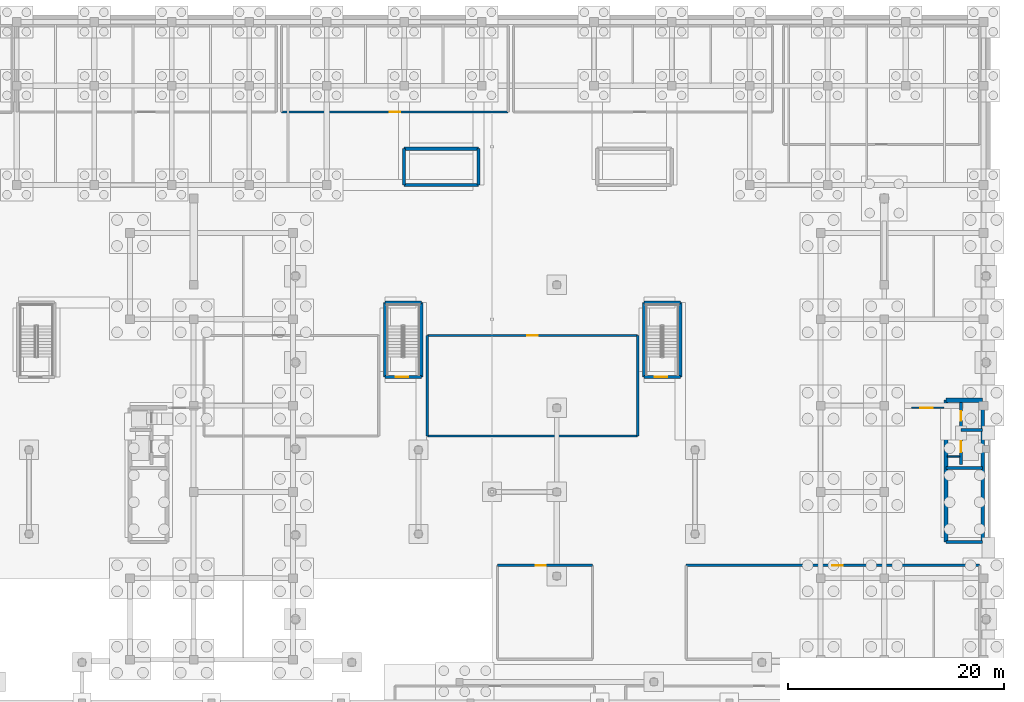
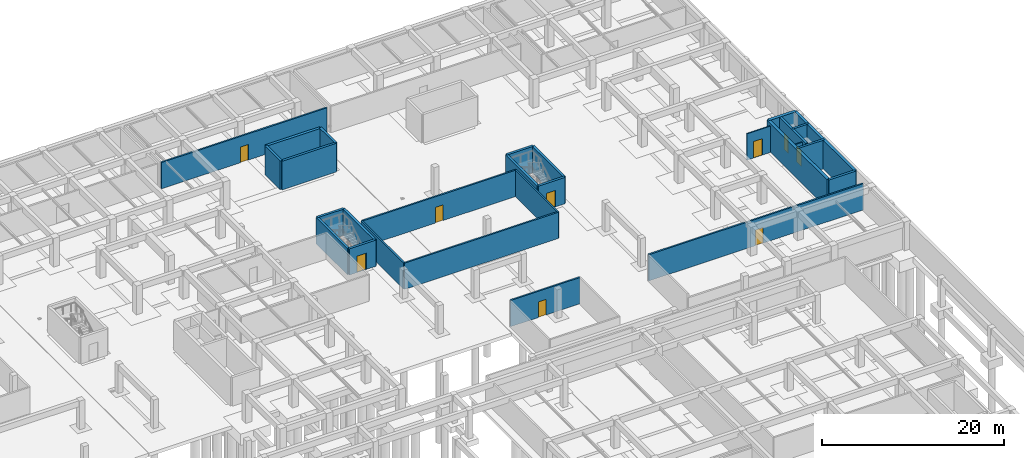
# One storey, part 26 of 35: 28 walls, 9 doors, 9 openings.
"""IFC4 building model written with IfcOpenShell, lengths in metres."""

from ifc_helpers import new_model, si_unit, direction, frame, frame_2d, origin, place, context, subcontext, project, spatial, rectangle, extrude, material, layer, layer_set, type_object, element, fill, save


model = new_model("IFC4")

# Units and contexts
model_context = context("Model", 3, precision=1e-05, world=origin(), true_north=direction((0.0, 1.0)))
body_context = subcontext(model_context, "Body", "Model", "MODEL_VIEW")
ifc_project = project(units=[si_unit("LENGTHUNIT", "METRE"), si_unit("AREAUNIT", "SQUARE_METRE"), si_unit("VOLUMEUNIT", "CUBIC_METRE"), si_unit("PLANEANGLEUNIT", "RADIAN"), si_unit("MASSUNIT", "GRAM", prefix="KILO")], contexts=[model_context])

# Site, building, storey
site_placement = place(None, origin())
site = spatial("IfcSite", under=ifc_project, at=site_placement, CompositionType="ELEMENT")
building_placement = place(site_placement, origin())
building = spatial("IfcBuilding", under=site, at=building_placement, Name="Keldmere Railside Commons", CompositionType="ELEMENT")
storey_placement = place(building_placement, frame((0.0, 0.0, -3.840087890625)))
storey = spatial("IfcBuildingStorey", under=building, at=storey_placement, Name="B1", CompositionType="ELEMENT", Elevation=-3.840087890625)

# Walls
ifc_material_1 = material(Name="Concrete H-35 (C35/45)", Category="concrete")
ifc_layer_1 = layer(ifc_material_1, 0.280029296875, Name="Core Shear Wall 280")
ifc_layer_set_1 = layer_set([ifc_layer_1], Name="Concrete H-35 (C35/45)")
wall_type_1 = type_object("IfcWallType", Name="Core Shear Wall 280", PredefinedType="SHEAR", material=ifc_layer_set_1)
wall_1_placement = place(storey_placement, frame((180.06005859375, 74.239990234375, 0.0), z_axis=(0.0, 0.0, 1.0), x_axis=(1.0, 0.0, 0.0)))
element("IfcWall", 1, at=wall_1_placement, inside=storey, type_object=wall_type_1, Name="CSW-2 COREAM-B1-0700", PredefinedType="SHEAR", context=body_context, shape_type="SweptSolid", body=[
    extrude(rectangle(XDim=3.409912109375, YDim=0.280029296875, at=frame_2d((1.705078125, 0.0))), origin(), (0.0, 0.0, 1.0), 3.840087890625),
])
wall_2_placement = place(storey_placement, frame((181.469970703125, 77.75, 0.0), z_axis=(0.0, 0.0, 1.0), x_axis=(1.0, 0.0, 0.0)))
element("IfcWall", 2, at=wall_2_placement, inside=storey, type_object=wall_type_1, Name="CSW-2 COREAL-B1-0701", PredefinedType="SHEAR", context=body_context, shape_type="SweptSolid", body=[
    extrude(rectangle(XDim=2.0, YDim=0.280029296875, at=frame_2d((1.0, 0.0))), origin(), (0.0, 0.0, 1.0), 3.840087890625),
])

# Wall, openings, doors
wall_3_placement = place(storey_placement, frame((181.469970703125, 74.550048828125, 0.0), z_axis=(0.0, 0.0, 1.0), x_axis=(0.0, 1.0, 0.0)))
wall_3 = element("IfcWall", 3, at=wall_3_placement, inside=storey, type_object=wall_type_1, Name="CSW-2 LSHA-B1-0702", PredefinedType="SHEAR", context=body_context, shape_type="SweptSolid", body=[
    extrude(rectangle(XDim=5.949951171875, YDim=0.280029296875, at=frame_2d((2.97509765625, 0.0))), origin(), (0.0, 0.0, 1.0), 3.840087890625),
])
opening_1_placement = place(wall_3_placement, frame((1.14990234375, 0.0, 0.0)))
opening_1 = element("IfcOpeningElement", 4, at=opening_1_placement, cuts=wall_3, Name="Opening LD-1", PredefinedType="OPENING", context=body_context, shape_type="SweptSolid", body=[
    extrude(rectangle(XDim=1.0, YDim=2.14990234375, at=frame_2d((0.5, 1.074951171875))), frame((0.0, 0.14990234375, 0.0), z_axis=(0.0, -1.0, 0.0), x_axis=(1.0, 0.0, 0.0)), (0.0, 0.0, 1.0), 0.300048828125),
])
opening_2_placement = place(wall_3_placement, frame((4.050048828125, 0.0, 0.0)))
opening_2 = element("IfcOpeningElement", 5, at=opening_2_placement, cuts=wall_3, Name="Opening LD-2", PredefinedType="OPENING", context=body_context, shape_type="SweptSolid", body=[
    extrude(rectangle(XDim=0.89990234375, YDim=2.14990234375, at=frame_2d((0.449951171875, 1.074951171875))), frame((0.0, 0.14990234375, 0.0), z_axis=(0.0, -1.0, 0.0), x_axis=(1.0, 0.0, 0.0)), (0.0, 0.0, 1.0), 0.300048828125),
])
ifc_material_2 = material(Name="Steel F-24 (S235)", Category="steel")
door_type_1 = type_object("IfcDoorType", Name="Firefighting Stretcher Lift Landing Door 1000x2150", OperationType="SLIDING_TO_LEFT", PredefinedType="DOOR", material=ifc_material_2)
door_1_placement = place(opening_1_placement, origin())
door_1 = element("IfcDoor", 6, at=door_1_placement, inside=storey, type_object=door_type_1, Name="LD-1 A B1", OperationType="SLIDING_TO_LEFT", OverallHeight=2.14990234375, OverallWidth=1.0, PredefinedType="DOOR", context=body_context, shape_type="SweptSolid", body=[
    extrude(rectangle(XDim=1.0, YDim=2.14990234375, at=frame_2d((0.5, 1.074951171875))), frame((0.0, 0.02490234375, 0.0), z_axis=(0.0, -1.0, 0.0), x_axis=(1.0, 0.0, 0.0)), (0.0, 0.0, 1.0), 0.050048828125),
])
fill(opening_1, door_1)
door_type_2 = type_object("IfcDoorType", Name="Passenger Lift Sliding Landing Door 900x2150", OperationType="SLIDING_TO_RIGHT", PredefinedType="DOOR", material=ifc_material_2)
door_2_placement = place(opening_2_placement, origin())
door_2 = element("IfcDoor", 7, at=door_2_placement, inside=storey, type_object=door_type_2, Name="LD-2 A B1", OperationType="SLIDING_TO_RIGHT", OverallHeight=2.14990234375, OverallWidth=0.89990234375, PredefinedType="DOOR", context=body_context, shape_type="SweptSolid", body=[
    extrude(rectangle(XDim=0.89990234375, YDim=2.14990234375, at=frame_2d((0.449951171875, 1.074951171875))), frame((0.0, 0.02490234375, 0.0), z_axis=(0.0, -1.0, 0.0), x_axis=(1.0, 0.0, 0.0)), (0.0, 0.0, 1.0), 0.050048828125),
])
fill(opening_2, door_2)

# Walls
ifc_material_3 = material(Name="Concrete H-40 (C40/50)", Category="concrete")
ifc_layer_2 = layer(ifc_material_3, 0.3798828125, Name="Core Shear Wall 380")
ifc_layer_set_2 = layer_set([ifc_layer_2], Name="Concrete H-40 (C40/50)")
wall_type_2 = type_object("IfcWallType", Name="Core Shear Wall 380", PredefinedType="SHEAR", material=ifc_layer_set_2)
wall_4_placement = place(storey_placement, frame((180.06005859375, 67.35009765625, 0.0), z_axis=(0.0, 0.0, 1.0), x_axis=(0.0, 1.0, 0.0)))
element("IfcWall", 8, at=wall_4_placement, inside=storey, type_object=wall_type_2, Name="CW-CORE COREAW-B1-0696", PredefinedType="SHEAR", context=body_context, shape_type="SweptSolid", body=[
    extrude(rectangle(XDim=13.14990234375, YDim=0.3798828125, at=frame_2d((6.574951171875, 0.0))), origin(), (0.0, 0.0, 1.0), 3.840087890625),
])
wall_5_placement = place(storey_placement, frame((180.06005859375, 80.5, 0.0), z_axis=(0.0, 0.0, 1.0), x_axis=(1.0, 0.0, 0.0)))
element("IfcWall", 9, at=wall_5_placement, inside=storey, type_object=wall_type_2, Name="CW-CORE COREAN-B1-0697", PredefinedType="SHEAR", context=body_context, shape_type="SweptSolid", body=[
    extrude(rectangle(XDim=3.409912109375, YDim=0.3798828125, at=frame_2d((1.705078125, 0.0))), origin(), (0.0, 0.0, 1.0), 3.840087890625),
])

# Wall, opening, door
ifc_layer_3 = layer(ifc_material_1, 0.300048828125, Name="Interior Shear Wall 300")
ifc_layer_set_3 = layer_set([ifc_layer_3], Name="Concrete H-35 (C35/45)")
wall_type_3 = type_object("IfcWallType", Name="Interior Shear Wall 300", PredefinedType="SHEAR", material=ifc_layer_set_3)
wall_6_placement = place(storey_placement, frame((131.449951171875, 82.64990234375, 0.0), z_axis=(0.0, 0.0, 1.0), x_axis=(-1.0, 0.0, 0.0)))
wall_6 = element("IfcWall", 10, at=wall_6_placement, inside=storey, type_object=wall_type_3, Name="ISW-2 WAL-ST-B5-B1-S", PredefinedType="SHEAR", context=body_context, shape_type="SweptSolid", body=[
    extrude(rectangle(XDim=3.349853515625, YDim=0.300048828125, at=frame_2d((1.6748046875, 0.0))), origin(), (0.0, 0.0, 1.0), 3.52001953125),
])
opening_3_placement = place(wall_6_placement, frame((1.199951171875, 0.0, 0.0)))
opening_3 = element("IfcOpeningElement", 11, at=opening_3_placement, cuts=wall_6, Name="Opening FD-5", PredefinedType="OPENING", context=body_context, shape_type="SweptSolid", body=[
    extrude(rectangle(XDim=1.14990234375, YDim=2.199951171875, at=frame_2d((0.574951171875, 1.10009765625))), frame((0.0, 0.159912109375, 0.0), z_axis=(0.0, -1.0, 0.0), x_axis=(1.0, 0.0, 0.0)), (0.0, 0.0, 1.0), 0.320068359375),
])
door_type_3 = type_object("IfcDoorType", Name="Basement Garage Vestibule Fire Door 1150x2200", OperationType="NOTDEFINED", PredefinedType="DOOR", material=ifc_material_2)
door_3_placement = place(opening_3_placement, origin())
door_3 = element("IfcDoor", 12, at=door_3_placement, inside=storey, type_object=door_type_3, Name="FD-5 ST-B5 B1", OperationType="SINGLE_SWING_LEFT", OverallHeight=2.199951171875, OverallWidth=1.14990234375, PredefinedType="DOOR", context=body_context, shape_type="SweptSolid", body=[
    extrude(rectangle(XDim=1.14990234375, YDim=2.199951171875, at=frame_2d((0.574951171875, 1.10009765625))), frame((0.0, 0.02490234375, 0.0), z_axis=(0.0, -1.0, 0.0), x_axis=(1.0, 0.0, 0.0)), (0.0, 0.0, 1.0), 0.050048828125),
])
fill(opening_3, door_3)

# Walls
wall_7_placement = place(storey_placement, frame((128.10009765625, 82.64990234375, 0.0), z_axis=(0.0, 0.0, 1.0), x_axis=(0.0, 1.0, 0.0)))
element("IfcWall", 13, at=wall_7_placement, inside=storey, type_object=wall_type_3, Name="ISW-2 WAL-ST-B5-B1-W", PredefinedType="SHEAR", context=body_context, shape_type="SweptSolid", body=[
    extrude(rectangle(XDim=6.900146484375, YDim=0.300048828125, at=frame_2d((3.4501953125, 0.0))), origin(), (0.0, 0.0, 1.0), 3.52001953125),
])
wall_8_placement = place(storey_placement, frame((128.10009765625, 89.550048828125, 0.0), z_axis=(0.0, 0.0, 1.0), x_axis=(1.0, 0.0, 0.0)))
element("IfcWall", 14, at=wall_8_placement, inside=storey, type_object=wall_type_3, Name="ISW-2 WAL-ST-B5-B1-N", PredefinedType="SHEAR", context=body_context, shape_type="SweptSolid", body=[
    extrude(rectangle(XDim=3.349853515625, YDim=0.300048828125, at=frame_2d((1.6748046875, 0.0))), origin(), (0.0, 0.0, 1.0), 3.52001953125),
])
wall_9_placement = place(storey_placement, frame((131.449951171875, 89.550048828125, 0.0), z_axis=(0.0, 0.0, 1.0), x_axis=(0.0, -1.0, 0.0)))
element("IfcWall", 15, at=wall_9_placement, inside=storey, type_object=wall_type_3, Name="ISW-2 WAL-ST-B5-B1-E", PredefinedType="SHEAR", context=body_context, shape_type="SweptSolid", body=[
    extrude(rectangle(XDim=6.900146484375, YDim=0.300048828125, at=frame_2d((3.4501953125, 0.0))), origin(), (0.0, 0.0, 1.0), 3.52001953125),
])

# Wall, opening, door
wall_10_placement = place(storey_placement, frame((155.449951171875, 82.64990234375, 0.0), z_axis=(0.0, 0.0, 1.0), x_axis=(-1.0, 0.0, 0.0)))
wall_10 = element("IfcWall", 16, at=wall_10_placement, inside=storey, type_object=wall_type_3, Name="ISW-2 WAL-ST-B6-B1-S", PredefinedType="SHEAR", context=body_context, shape_type="SweptSolid", body=[
    extrude(rectangle(XDim=3.349853515625, YDim=0.300048828125, at=frame_2d((1.6748046875, 0.0))), origin(), (0.0, 0.0, 1.0), 3.52001953125),
])
opening_4_placement = place(wall_10_placement, frame((1.199951171875, 0.0, 0.0)))
opening_4 = element("IfcOpeningElement", 17, at=opening_4_placement, cuts=wall_10, Name="Opening FD-5", PredefinedType="OPENING", context=body_context, shape_type="SweptSolid", body=[
    extrude(rectangle(XDim=1.14990234375, YDim=2.199951171875, at=frame_2d((0.574951171875, 1.10009765625))), frame((0.0, 0.159912109375, 0.0), z_axis=(0.0, -1.0, 0.0), x_axis=(1.0, 0.0, 0.0)), (0.0, 0.0, 1.0), 0.320068359375),
])
door_4_placement = place(opening_4_placement, origin())
door_4 = element("IfcDoor", 18, at=door_4_placement, inside=storey, type_object=door_type_3, Name="FD-5 ST-B6 B1", OperationType="SINGLE_SWING_LEFT", OverallHeight=2.199951171875, OverallWidth=1.14990234375, PredefinedType="DOOR", context=body_context, shape_type="SweptSolid", body=[
    extrude(rectangle(XDim=1.14990234375, YDim=2.199951171875, at=frame_2d((0.574951171875, 1.10009765625))), frame((0.0, 0.02490234375, 0.0), z_axis=(0.0, -1.0, 0.0), x_axis=(1.0, 0.0, 0.0)), (0.0, 0.0, 1.0), 0.050048828125),
])
fill(opening_4, door_4)

# Walls
wall_11_placement = place(storey_placement, frame((152.10009765625, 82.64990234375, 0.0), z_axis=(0.0, 0.0, 1.0), x_axis=(0.0, 1.0, 0.0)))
element("IfcWall", 19, at=wall_11_placement, inside=storey, type_object=wall_type_3, Name="ISW-2 WAL-ST-B6-B1-W", PredefinedType="SHEAR", context=body_context, shape_type="SweptSolid", body=[
    extrude(rectangle(XDim=6.900146484375, YDim=0.300048828125, at=frame_2d((3.4501953125, 0.0))), origin(), (0.0, 0.0, 1.0), 3.52001953125),
])
wall_12_placement = place(storey_placement, frame((152.10009765625, 89.550048828125, 0.0), z_axis=(0.0, 0.0, 1.0), x_axis=(1.0, 0.0, 0.0)))
element("IfcWall", 20, at=wall_12_placement, inside=storey, type_object=wall_type_3, Name="ISW-2 WAL-ST-B6-B1-N", PredefinedType="SHEAR", context=body_context, shape_type="SweptSolid", body=[
    extrude(rectangle(XDim=3.349853515625, YDim=0.300048828125, at=frame_2d((1.6748046875, 0.0))), origin(), (0.0, 0.0, 1.0), 3.52001953125),
])
wall_13_placement = place(storey_placement, frame((155.449951171875, 89.550048828125, 0.0), z_axis=(0.0, 0.0, 1.0), x_axis=(0.0, -1.0, 0.0)))
element("IfcWall", 21, at=wall_13_placement, inside=storey, type_object=wall_type_3, Name="ISW-2 WAL-ST-B6-B1-E", PredefinedType="SHEAR", context=body_context, shape_type="SweptSolid", body=[
    extrude(rectangle(XDim=6.900146484375, YDim=0.300048828125, at=frame_2d((3.4501953125, 0.0))), origin(), (0.0, 0.0, 1.0), 3.52001953125),
])
wall_14_placement = place(storey_placement, frame((129.85009765625, 100.449951171875, 0.0), z_axis=(0.0, 0.0, 1.0), x_axis=(1.0, 0.0, 0.0)))
element("IfcWall", 22, at=wall_14_placement, inside=storey, type_object=wall_type_3, Name="ISW-2 COREB2S-B1-0428", PredefinedType="SHEAR", context=body_context, shape_type="SweptSolid", body=[
    extrude(rectangle(XDim=6.89990234375, YDim=0.300048828125, at=frame_2d((3.449951171875, 0.0))), origin(), (0.0, 0.0, 1.0), 3.840087890625),
])
for number, where, z_axis, x_axis, name in (
    (23, (129.85009765625, 103.820068359375, 0.0), (0.0, 0.0, 1.0), (0.0, -1.0, 0.0), "ISW-2 COREB2W-B1-0430"),
    (24, (136.75, 100.449951171875, 0.0), (0.0, 0.0, 1.0), (0.0, 1.0, 0.0), "ISW-2 COREB2E-B1-0431"),
):
    element("IfcWall", number, at=place(storey_placement, frame(where, z_axis=z_axis, x_axis=x_axis)), inside=storey, type_object=wall_type_3, Name=name, PredefinedType="SHEAR", context=body_context, shape_type="SweptSolid", body=[
        extrude(rectangle(XDim=3.3701171875, YDim=0.300048828125, at=frame_2d((1.68505859375, 0.0))), origin(), (0.0, 0.0, 1.0), 3.840087890625),
    ])
wall_15_placement = place(storey_placement, frame((183.469970703125, 67.35009765625, 0.0), z_axis=(0.0, 0.0, 1.0), x_axis=(-1.0, 0.0, 0.0)))
element("IfcWall", 25, at=wall_15_placement, inside=storey, type_object=wall_type_3, Name="ISW-2 COREAS-B1-0699", PredefinedType="SHEAR", context=body_context, shape_type="SweptSolid", body=[
    extrude(rectangle(XDim=3.409912109375, YDim=0.300048828125, at=frame_2d((1.705078125, 0.0))), origin(), (0.0, 0.0, 1.0), 3.840087890625),
])
ifc_layer_4 = layer(ifc_material_1, 0.340087890625, Name="Interior Shear Wall 340")
ifc_layer_set_4 = layer_set([ifc_layer_4], Name="Concrete H-35 (C35/45)")
wall_type_4 = type_object("IfcWallType", Name="Interior Shear Wall 340", PredefinedType="SHEAR", material=ifc_layer_set_4)
wall_16_placement = place(storey_placement, frame((136.75, 103.820068359375, 0.0), z_axis=(0.0, 0.0, 1.0), x_axis=(-1.0, 0.0, 0.0)))
element("IfcWall", 26, at=wall_16_placement, inside=storey, type_object=wall_type_4, Name="ISW-1 COREB2N-B1-0429", PredefinedType="SHEAR", context=body_context, shape_type="SweptSolid", body=[
    extrude(rectangle(XDim=6.89990234375, YDim=0.340087890625, at=frame_2d((3.449951171875, 0.0))), origin(), (0.0, 0.0, 1.0), 3.840087890625),
])
wall_17_placement = place(storey_placement, frame((183.469970703125, 80.5, 0.0), z_axis=(0.0, 0.0, 1.0), x_axis=(0.0, -1.0, 0.0)))
element("IfcWall", 27, at=wall_17_placement, inside=storey, type_object=wall_type_4, Name="ISW-1 COREAE-B1-0698", PredefinedType="SHEAR", context=body_context, shape_type="SweptSolid", body=[
    extrude(rectangle(XDim=13.14990234375, YDim=0.340087890625, at=frame_2d((6.574951171875, 0.0))), origin(), (0.0, 0.0, 1.0), 3.840087890625),
])
ifc_material_4 = material(Name="Acoustic Gypsum Board Partition", Category="gypsum")
ifc_layer_5 = layer(ifc_material_4, 0.14990234375, Name="Lobby Rated Partition 150")
ifc_layer_set_5 = layer_set([ifc_layer_5], Name="Acoustic Gypsum Board Partition")
wall_type_5 = type_object("IfcWallType", Name="Lobby Rated Partition 150", PredefinedType="PARTITIONING", material=ifc_layer_set_5)
wall_18_placement = place(storey_placement, frame((180.199951171875, 75.280029296875, 0.0), z_axis=(0.0, 0.0, 1.0), x_axis=(1.0, 0.0, 0.0)))
element("IfcWall", 28, at=wall_18_placement, inside=storey, type_object=wall_type_5, Name="IW-3 RSRNA-B1-0703", PredefinedType="PARTITIONING", context=body_context, shape_type="SweptSolid", body=[
    extrude(rectangle(XDim=1.130126953125, YDim=0.14990234375, at=frame_2d((0.56494140625, 0.0))), origin(), (0.0, 0.0, 1.0), 3.590087890625),
])

# Wall, opening, door
wall_19_placement = place(storey_placement, frame((176.89990234375, 79.800048828125, 0.0), z_axis=(0.0, 0.0, 1.0), x_axis=(1.0, 0.0, 0.0)))
wall_19 = element("IfcWall", 29, at=wall_19_placement, inside=storey, type_object=wall_type_5, Name="IW-3 IW-B1-0092", PredefinedType="PARTITIONING", context=body_context, shape_type="SweptSolid", body=[
    extrude(rectangle(XDim=3.0, YDim=0.14990234375, at=frame_2d((1.5, 0.0))), origin(), (0.0, 0.0, 1.0), 3.52001953125),
])
opening_5_placement = place(wall_19_placement, frame((0.800048828125, 0.0, 0.0)))
opening_5 = element("IfcOpeningElement", 30, at=opening_5_placement, cuts=wall_19, Name="Opening FD-5", PredefinedType="OPENING", context=body_context, shape_type="SweptSolid", body=[
    extrude(rectangle(XDim=1.14990234375, YDim=2.199951171875, at=frame_2d((0.574951171875, 1.10009765625))), frame((0.0, 0.0849609375, 0.0), z_axis=(0.0, -1.0, 0.0), x_axis=(1.0, 0.0, 0.0)), (0.0, 0.0, 1.0), 0.169921875),
])
door_5_placement = place(opening_5_placement, origin())
door_5 = element("IfcDoor", 31, at=door_5_placement, inside=storey, type_object=door_type_3, Name="FD-5 IDR-B1-0026", OperationType="SINGLE_SWING_RIGHT", OverallHeight=2.199951171875, OverallWidth=1.14990234375, PredefinedType="DOOR", context=body_context, shape_type="SweptSolid", body=[
    extrude(rectangle(XDim=1.14990234375, YDim=2.199951171875, at=frame_2d((0.574951171875, 1.10009765625))), frame((0.0, 0.02490234375, 0.0), z_axis=(0.0, -1.0, 0.0), x_axis=(1.0, 0.0, 0.0)), (0.0, 0.0, 1.0), 0.050048828125),
])
fill(opening_5, door_5)

# Walls
ifc_material_5 = material(Name="Terracotta Brick Masonry", Category="masonry")
ifc_layer_6 = layer(ifc_material_5, 0.199951171875, Name="Plant Masonry Infill Wall 200")
ifc_layer_set_6 = layer_set([ifc_layer_6], Name="Terracotta Brick Masonry")
wall_type_6 = type_object("IfcWallType", Name="Plant Masonry Infill Wall 200", PredefinedType="SOLIDWALL", material=ifc_layer_set_6)
wall_20_placement = place(storey_placement, frame((132.0, 77.199951171875, 0.0), z_axis=(0.0, 0.0, 1.0), x_axis=(1.0, 0.0, 0.0)))
element("IfcWall", 32, at=wall_20_placement, inside=storey, type_object=wall_type_6, Name="MW-1 IW-B1-0049", PredefinedType="SOLIDWALL", context=body_context, shape_type="SweptSolid", body=[
    extrude(rectangle(XDim=19.5, YDim=0.199951171875, at=frame_2d((9.75, 0.0))), origin(), (0.0, 0.0, 1.0), 3.52001953125),
])
wall_21_placement = place(storey_placement, frame((151.5, 77.199951171875, 0.0), z_axis=(0.0, 0.0, 1.0), x_axis=(0.0, 1.0, 0.0)))
element("IfcWall", 33, at=wall_21_placement, inside=storey, type_object=wall_type_6, Name="MW-1 IW-B1-0050", PredefinedType="SOLIDWALL", context=body_context, shape_type="SweptSolid", body=[
    extrude(rectangle(XDim=9.300048828125, YDim=0.199951171875, at=frame_2d((4.64990234375, 0.0))), origin(), (0.0, 0.0, 1.0), 3.52001953125),
])

# Wall, opening, door
wall_22_placement = place(storey_placement, frame((151.5, 86.5, 0.0), z_axis=(0.0, 0.0, 1.0), x_axis=(-1.0, 0.0, 0.0)))
wall_22 = element("IfcWall", 34, at=wall_22_placement, inside=storey, type_object=wall_type_6, Name="MW-1 IW-B1-0051", PredefinedType="SOLIDWALL", context=body_context, shape_type="SweptSolid", body=[
    extrude(rectangle(XDim=19.5, YDim=0.199951171875, at=frame_2d((9.75, 0.0))), origin(), (0.0, 0.0, 1.0), 3.52001953125),
])
opening_6_placement = place(wall_22_placement, frame((9.25, 0.0, 0.0)))
opening_6 = element("IfcOpeningElement", 35, at=opening_6_placement, cuts=wall_22, Name="Opening FD-9", PredefinedType="OPENING", context=body_context, shape_type="SweptSolid", body=[
    extrude(rectangle(XDim=1.0, YDim=2.10009765625, at=frame_2d((0.5, 1.050048828125))), frame((0.0, 0.10986328125, 0.0), z_axis=(0.0, -1.0, 0.0), x_axis=(1.0, 0.0, 0.0)), (0.0, 0.0, 1.0), 0.219970703125),
])
door_type_4 = type_object("IfcDoorType", Name="Waste & Storage Fire Door 1000x2100", OperationType="NOTDEFINED", PredefinedType="DOOR", material=ifc_material_2)
door_6_placement = place(opening_6_placement, origin())
door_6 = element("IfcDoor", 36, at=door_6_placement, inside=storey, type_object=door_type_4, Name="FD-9 IDR-B1-0013", OperationType="SINGLE_SWING_LEFT", OverallHeight=2.10009765625, OverallWidth=1.0, PredefinedType="DOOR", context=body_context, shape_type="SweptSolid", body=[
    extrude(rectangle(XDim=1.0, YDim=2.10009765625, at=frame_2d((0.5, 1.050048828125))), frame((0.0, 0.02490234375, 0.0), z_axis=(0.0, -1.0, 0.0), x_axis=(1.0, 0.0, 0.0)), (0.0, 0.0, 1.0), 0.050048828125),
])
fill(opening_6, door_6)

# Wall
wall_23_placement = place(storey_placement, frame((132.0, 86.5, 0.0), z_axis=(0.0, 0.0, 1.0), x_axis=(0.0, -1.0, 0.0)))
element("IfcWall", 37, at=wall_23_placement, inside=storey, type_object=wall_type_6, Name="MW-1 IW-B1-0052", PredefinedType="SOLIDWALL", context=body_context, shape_type="SweptSolid", body=[
    extrude(rectangle(XDim=9.300048828125, YDim=0.199951171875, at=frame_2d((4.64990234375, 0.0))), origin(), (0.0, 0.0, 1.0), 3.52001953125),
])

# Wall, opening, door
wall_24_placement = place(storey_placement, frame((118.5, 107.199951171875, 0.0), z_axis=(0.0, 0.0, 1.0), x_axis=(1.0, 0.0, 0.0)))
wall_24 = element("IfcWall", 38, at=wall_24_placement, inside=storey, type_object=wall_type_6, Name="MW-1 IW-B1-0061", PredefinedType="SOLIDWALL", context=body_context, shape_type="SweptSolid", body=[
    extrude(rectangle(XDim=21.0, YDim=0.199951171875, at=frame_2d((10.5, 0.0))), origin(), (0.0, 0.0, 1.0), 3.52001953125),
])
opening_7_placement = place(wall_24_placement, frame((10.0, 0.0, 0.0)))
opening_7 = element("IfcOpeningElement", 39, at=opening_7_placement, cuts=wall_24, Name="Opening FD-9", PredefinedType="OPENING", context=body_context, shape_type="SweptSolid", body=[
    extrude(rectangle(XDim=1.0, YDim=2.10009765625, at=frame_2d((0.5, 1.050048828125))), frame((0.0, 0.10986328125, 0.0), z_axis=(0.0, -1.0, 0.0), x_axis=(1.0, 0.0, 0.0)), (0.0, 0.0, 1.0), 0.219970703125),
])
door_7_placement = place(opening_7_placement, origin())
door_7 = element("IfcDoor", 40, at=door_7_placement, inside=storey, type_object=door_type_4, Name="FD-9 IDR-B1-0016", OperationType="SINGLE_SWING_RIGHT", OverallHeight=2.10009765625, OverallWidth=1.0, PredefinedType="DOOR", context=body_context, shape_type="SweptSolid", body=[
    extrude(rectangle(XDim=1.0, YDim=2.10009765625, at=frame_2d((0.5, 1.050048828125))), frame((0.0, 0.02490234375, 0.0), z_axis=(0.0, -1.0, 0.0), x_axis=(1.0, 0.0, 0.0)), (0.0, 0.0, 1.0), 0.050048828125),
])
fill(opening_7, door_7)

wall_25_placement = place(storey_placement, frame((183.199951171875, 65.199951171875, 0.0), z_axis=(0.0, 0.0, 1.0), x_axis=(-1.0, 0.0, 0.0)))
wall_25 = element("IfcWall", 41, at=wall_25_placement, inside=storey, type_object=wall_type_6, Name="MW-1 IW-B1-0071", PredefinedType="SOLIDWALL", context=body_context, shape_type="SweptSolid", body=[
    extrude(rectangle(XDim=27.199951171875, YDim=0.199951171875, at=frame_2d((13.60009765625, 0.0))), origin(), (0.0, 0.0, 1.0), 3.52001953125),
])
opening_8_placement = place(wall_25_placement, frame((12.699951171875, 0.0, 0.0)))
opening_8 = element("IfcOpeningElement", 42, at=opening_8_placement, cuts=wall_25, Name="Opening FD-3", PredefinedType="OPENING", context=body_context, shape_type="SweptSolid", body=[
    extrude(rectangle(XDim=0.949951171875, YDim=2.10009765625, at=frame_2d((0.47509765625, 1.050048828125))), frame((0.0, 0.10986328125, 0.0), z_axis=(0.0, -1.0, 0.0), x_axis=(1.0, 0.0, 0.0)), (0.0, 0.0, 1.0), 0.219970703125),
])
door_type_5 = type_object("IfcDoorType", Name="Plant & Riser Fire Door 950x2100", OperationType="NOTDEFINED", PredefinedType="DOOR", material=ifc_material_2)
door_8_placement = place(opening_8_placement, origin())
door_8 = element("IfcDoor", 43, at=door_8_placement, inside=storey, type_object=door_type_5, Name="FD-3 IDR-B1-0018", OperationType="SINGLE_SWING_RIGHT", OverallHeight=2.10009765625, OverallWidth=0.949951171875, PredefinedType="DOOR", context=body_context, shape_type="SweptSolid", body=[
    extrude(rectangle(XDim=0.949951171875, YDim=2.10009765625, at=frame_2d((0.47509765625, 1.050048828125))), frame((0.0, 0.02490234375, 0.0), z_axis=(0.0, -1.0, 0.0), x_axis=(1.0, 0.0, 0.0)), (0.0, 0.0, 1.0), 0.050048828125),
])
fill(opening_8, door_8)

wall_26_placement = place(storey_placement, frame((147.300048828125, 65.199951171875, 0.0), z_axis=(0.0, 0.0, 1.0), x_axis=(-1.0, 0.0, 0.0)))
wall_26 = element("IfcWall", 44, at=wall_26_placement, inside=storey, type_object=wall_type_6, Name="MW-1 IW-B1-0075", PredefinedType="SOLIDWALL", context=body_context, shape_type="SweptSolid", body=[
    extrude(rectangle(XDim=8.800048828125, YDim=0.199951171875, at=frame_2d((4.39990234375, 0.0))), origin(), (0.0, 0.0, 1.0), 3.52001953125),
])
opening_9_placement = place(wall_26_placement, frame((4.300048828125, 0.0, 0.0)))
opening_9 = element("IfcOpeningElement", 45, at=opening_9_placement, cuts=wall_26, Name="Opening FD-3", PredefinedType="OPENING", context=body_context, shape_type="SweptSolid", body=[
    extrude(rectangle(XDim=0.949951171875, YDim=2.10009765625, at=frame_2d((0.47509765625, 1.050048828125))), frame((0.0, 0.10986328125, 0.0), z_axis=(0.0, -1.0, 0.0), x_axis=(1.0, 0.0, 0.0)), (0.0, 0.0, 1.0), 0.219970703125),
])
door_9_placement = place(opening_9_placement, origin())
door_9 = element("IfcDoor", 46, at=door_9_placement, inside=storey, type_object=door_type_5, Name="FD-3 IDR-B1-0019", OperationType="SINGLE_SWING_LEFT", OverallHeight=2.10009765625, OverallWidth=0.949951171875, PredefinedType="DOOR", context=body_context, shape_type="SweptSolid", body=[
    extrude(rectangle(XDim=0.949951171875, YDim=2.10009765625, at=frame_2d((0.47509765625, 1.050048828125))), frame((0.0, 0.02490234375, 0.0), z_axis=(0.0, -1.0, 0.0), x_axis=(1.0, 0.0, 0.0)), (0.0, 0.0, 1.0), 0.050048828125),
])
fill(opening_9, door_9)

save(model, "model.ifc")
